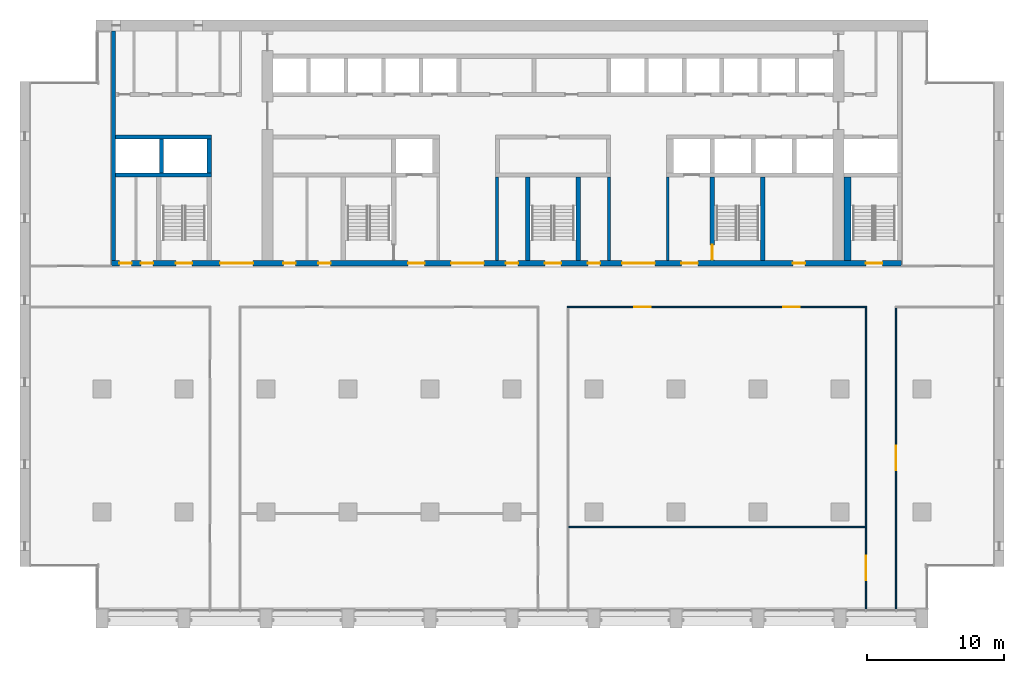
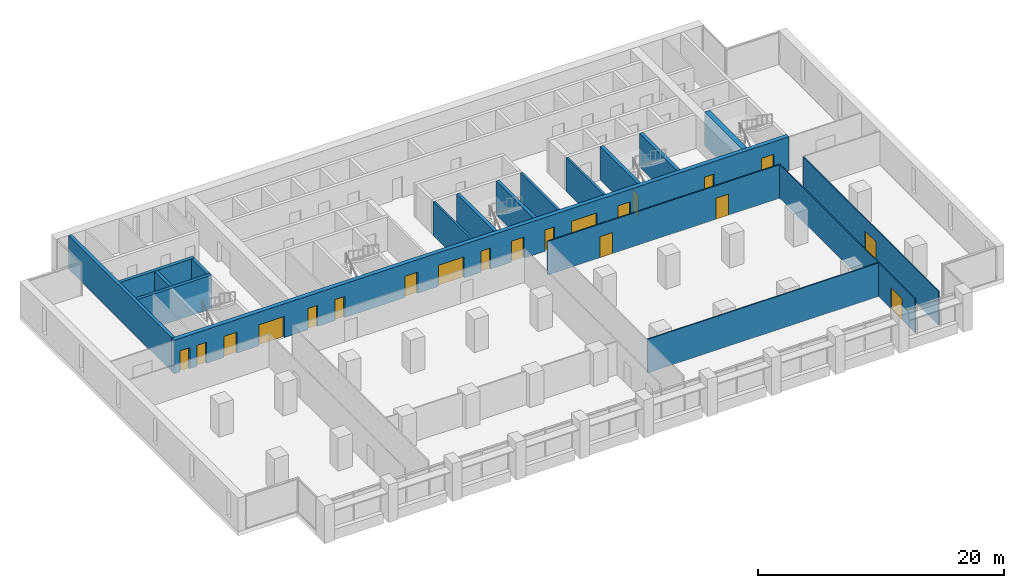
# One storey, part 9 of 15: 20 doors, 18 walls, 20 openings.
"""IFC4 building model written with IfcOpenShell, lengths in metres."""

from ifc_helpers import new_model, si_unit, direction, frame, frame_2d, origin, place, context, subcontext, project, spatial, rectangle, extrude, material, layer, layer_set, type_object, element, fill, save


model = new_model("IFC4")

# Units and contexts
model_context = context("Model", 3, precision=1e-05, world=origin(), true_north=direction((0.0, 1.0)))
body_context = subcontext(model_context, "Body", "Model", "MODEL_VIEW")
ifc_project = project(units=[si_unit("LENGTHUNIT", "METRE"), si_unit("AREAUNIT", "SQUARE_METRE"), si_unit("VOLUMEUNIT", "CUBIC_METRE"), si_unit("PLANEANGLEUNIT", "RADIAN"), si_unit("MASSUNIT", "GRAM", prefix="KILO")], contexts=[model_context])

# Site, building, storey
site_placement = place(None, origin())
site = spatial("IfcSite", under=ifc_project, at=site_placement, CompositionType="ELEMENT")
building_placement = place(site_placement, origin())
building = spatial("IfcBuilding", under=site, at=building_placement, Name="Calvaro Tower", CompositionType="ELEMENT")
storey_placement = place(building_placement, frame((0.0, 0.0, 113.75)))
storey = spatial("IfcBuildingStorey", under=building, at=storey_placement, Name="L28", CompositionType="ELEMENT", Elevation=113.75)

# Walls
ifc_material_1 = material(Name="Blockwork partition", Category="masonry")
ifc_layer_1 = layer(ifc_material_1, 0.199951171875)
ifc_layer_set_1 = layer_set([ifc_layer_1], Name="Blockwork partition")
wall_type_1 = type_object("IfcWallType", Name="Core partition 200 REI 120", PredefinedType="PARTITIONING", material=ifc_layer_set_1)
for number, where, z_axis, x_axis, name in (
    (1, (34.89990234375, 28.39990234375, 0.0), (0.0, 0.0, 1.0), (0.0, 1.0, 0.0), "Core partition"),
    (2, (43.10009765625, 28.39990234375, 0.0), (0.0, 0.0, 1.0), (0.0, 1.0, 0.0), "Core partition"),
    (3, (47.39990234375, 28.39990234375, 0.0), (0.0, 0.0, 1.0), (0.0, 1.0, 0.0), "Core partition"),
):
    element("IfcWall", number, at=place(storey_placement, frame(where, z_axis=z_axis, x_axis=x_axis)), inside=storey, type_object=wall_type_1, Name=name, PredefinedType="PARTITIONING", context=body_context, shape_type="SweptSolid", body=[
        extrude(rectangle(XDim=6.10009765625, YDim=0.199951171875, at=frame_2d((3.050048828125, 0.0))), origin(), (0.0, 0.0, 1.0), 3.35009765625),
    ])
ifc_material_2 = material(Name="Concrete C60/75", Category="concrete")
ifc_layer_2 = layer(ifc_material_2, 0.300048828125)
ifc_layer_set_2 = layer_set([ifc_layer_2], Name="Concrete C60/75")
wall_type_2 = type_object("IfcWallType", Name="Core wall C60/75 300", PredefinedType="SHEAR", material=ifc_layer_set_2)
wall_1_placement = place(storey_placement, frame((6.85009765625, 28.39990234375, 0.0), z_axis=(0.0, 0.0, 1.0), x_axis=(0.0, 1.0, 0.0)))
element("IfcWall", 4, at=wall_1_placement, inside=storey, type_object=wall_type_2, Name="Core wall, boundary", PredefinedType="SHEAR", context=body_context, shape_type="SweptSolid", body=[
    extrude(rectangle(XDim=16.800048828125, YDim=0.300048828125, at=frame_2d((8.39990234375, 0.0))), origin(), (0.0, 0.0, 1.0), 3.35009765625),
])
for number, where, z_axis, x_axis, name in (
    (5, (37.14990234375, 28.39990234375, 0.0), (0.0, 0.0, 1.0), (0.0, 1.0, 0.0), "Core wall, stair enclosure"),
    (6, (40.85009765625, 28.39990234375, 0.0), (0.0, 0.0, 1.0), (0.0, 1.0, 0.0), "Core wall, stair enclosure"),
):
    element("IfcWall", number, at=place(storey_placement, frame(where, z_axis=z_axis, x_axis=x_axis)), inside=storey, type_object=wall_type_2, Name=name, PredefinedType="SHEAR", context=body_context, shape_type="SweptSolid", body=[
        extrude(rectangle(XDim=6.10009765625, YDim=0.300048828125, at=frame_2d((3.050048828125, 0.0))), origin(), (0.0, 0.0, 1.0), 3.35009765625),
    ])

# Wall, opening, door
wall_2_placement = place(storey_placement, frame((50.64990234375, 34.5, 0.0), z_axis=(0.0, 0.0, 1.0), x_axis=(0.0, -1.0, 0.0)))
wall_2 = element("IfcWall", 7, at=wall_2_placement, inside=storey, type_object=wall_type_2, Name="Core wall, stair enclosure", PredefinedType="SHEAR", context=body_context, shape_type="SweptSolid", body=[
    extrude(rectangle(XDim=6.10009765625, YDim=0.300048828125, at=frame_2d((3.050048828125, 0.0))), origin(), (0.0, 0.0, 1.0), 3.35009765625),
])
opening_1_placement = place(wall_2_placement, frame((4.949951171875, 0.0, 0.0)))
opening_1 = element("IfcOpeningElement", 8, at=opening_1_placement, cuts=wall_2, Name="Opening FD11D", PredefinedType="OPENING", context=body_context, shape_type="SweptSolid", body=[
    extrude(rectangle(XDim=1.10009765625, YDim=2.10009765625, at=frame_2d((0.550048828125, 1.050048828125))), frame((0.0, 0.159912109375, 0.0), z_axis=(0.0, -1.0, 0.0), x_axis=(1.0, 0.0, 0.0)), (0.0, 0.0, 1.0), 0.320068359375),
])
ifc_material_3 = material(Name="Steel door set", Category="steel")
door_type_1 = type_object("IfcDoorType", Name="Fire door 1100 FD30S", OperationType="SINGLE_SWING_LEFT", PredefinedType="DOOR", material=ifc_material_3)
door_1_placement = place(opening_1_placement, origin())
door_1 = element("IfcDoor", 9, at=door_1_placement, inside=storey, type_object=door_type_1, Name="Fire door", OperationType="SINGLE_SWING_RIGHT", OverallHeight=2.10009765625, OverallWidth=1.10009765625, PredefinedType="DOOR", context=body_context, shape_type="SweptSolid", body=[
    extrude(rectangle(XDim=1.10009765625, YDim=2.10009765625, at=frame_2d((0.550048828125, 1.050048828125))), frame((0.0, 0.02490234375, 0.0), z_axis=(0.0, -1.0, 0.0), x_axis=(1.0, 0.0, 0.0)), (0.0, 0.0, 1.0), 0.050048828125),
])
fill(opening_1, door_1)

# Walls
wall_3_placement = place(storey_placement, frame((54.35009765625, 28.39990234375, 0.0), z_axis=(0.0, 0.0, 1.0), x_axis=(0.0, 1.0, 0.0)))
element("IfcWall", 10, at=wall_3_placement, inside=storey, type_object=wall_type_2, Name="Core wall, stair enclosure", PredefinedType="SHEAR", context=body_context, shape_type="SweptSolid", body=[
    extrude(rectangle(XDim=6.10009765625, YDim=0.300048828125, at=frame_2d((3.050048828125, 0.0))), origin(), (0.0, 0.0, 1.0), 3.35009765625),
])
for number, where, z_axis, x_axis, name in (
    (11, (7.0, 34.64990234375, 0.0), (0.0, 0.0, 1.0), (1.0, 0.0, 0.0), "Core wall, lift shaft"),
    (12, (7.0, 37.449951171875, 0.0), (0.0, 0.0, 1.0), (1.0, 0.0, 0.0), "Core wall, lift shaft"),
):
    element("IfcWall", number, at=place(storey_placement, frame(where, z_axis=z_axis, x_axis=x_axis)), inside=storey, type_object=wall_type_2, Name=name, PredefinedType="SHEAR", context=body_context, shape_type="SweptSolid", body=[
        extrude(rectangle(XDim=7.0, YDim=0.300048828125, at=frame_2d((3.5, 0.0))), origin(), (0.0, 0.0, 1.0), 3.35009765625),
    ])
for number, where, z_axis, x_axis, name in (
    (13, (13.85009765625, 34.800048828125, 0.0), (0.0, 0.0, 1.0), (0.0, 1.0, 0.0), "Core wall, lift shaft"),
    (14, (10.35009765625, 34.800048828125, 0.0), (0.0, 0.0, 1.0), (0.0, 1.0, 0.0), "Core wall, lift shaft"),
):
    element("IfcWall", number, at=place(storey_placement, frame(where, z_axis=z_axis, x_axis=x_axis)), inside=storey, type_object=wall_type_2, Name=name, PredefinedType="SHEAR", context=body_context, shape_type="SweptSolid", body=[
        extrude(rectangle(XDim=2.5, YDim=0.300048828125, at=frame_2d((1.25, 0.0))), origin(), (0.0, 0.0, 1.0), 3.35009765625),
    ])

# Wall, openings, doors
ifc_material_4 = material(Name="Concrete C60/75", Category="concrete")
ifc_layer_3 = layer(ifc_material_4, 0.39990234375)
ifc_layer_set_3 = layer_set([ifc_layer_3], Name="Concrete C60/75")
wall_type_3 = type_object("IfcWallType", Name="Core wall C60/75 400", PredefinedType="SHEAR", material=ifc_layer_set_3)
wall_4_placement = place(storey_placement, frame((6.699951171875, 28.199951171875, 0.0), z_axis=(0.0, 0.0, 1.0), x_axis=(1.0, 0.0, 0.0)))
wall_4 = element("IfcWall", 15, at=wall_4_placement, inside=storey, type_object=wall_type_3, Name="Core wall, front", PredefinedType="SHEAR", context=body_context, shape_type="SweptSolid", body=[
    extrude(rectangle(XDim=57.800048828125, YDim=0.39990234375, at=frame_2d((28.89990234375, 0.0))), origin(), (0.0, 0.0, 1.0), 3.35009765625),
])
opening_2_placement = place(wall_4_placement, frame((12.5625, 0.0, 0.0)))
opening_2 = element("IfcOpeningElement", 16, at=opening_2_placement, cuts=wall_4, Name="Opening RD9E", PredefinedType="OPENING", context=body_context, shape_type="SweptSolid", body=[
    extrude(rectangle(XDim=0.89990234375, YDim=2.10009765625, at=frame_2d((0.449951171875, 1.050048828125))), frame((0.0, 0.2099609375, 0.0), z_axis=(0.0, -1.0, 0.0), x_axis=(1.0, 0.0, 0.0)), (0.0, 0.0, 1.0), 0.419921875),
])
opening_3_placement = place(wall_4_placement, frame((15.137451171875, 0.0, 0.0)))
opening_3 = element("IfcOpeningElement", 17, at=opening_3_placement, cuts=wall_4, Name="Opening RD9C", PredefinedType="OPENING", context=body_context, shape_type="SweptSolid", body=[
    extrude(rectangle(XDim=0.89990234375, YDim=2.10009765625, at=frame_2d((0.449951171875, 1.050048828125))), frame((0.0, 0.2099609375, 0.0), z_axis=(0.0, -1.0, 0.0), x_axis=(1.0, 0.0, 0.0)), (0.0, 0.0, 1.0), 0.419921875),
])
opening_4_placement = place(wall_4_placement, frame((49.85009765625, 0.0, 0.0)))
opening_4 = element("IfcOpeningElement", 18, at=opening_4_placement, cuts=wall_4, Name="Opening RD9E", PredefinedType="OPENING", context=body_context, shape_type="SweptSolid", body=[
    extrude(rectangle(XDim=0.89990234375, YDim=2.10009765625, at=frame_2d((0.449951171875, 1.050048828125))), frame((0.0, 0.2099609375, 0.0), z_axis=(0.0, -1.0, 0.0), x_axis=(1.0, 0.0, 0.0)), (0.0, 0.0, 1.0), 0.419921875),
])
opening_5_placement = place(wall_4_placement, frame((0.5625, 0.0, 0.0)))
opening_5 = element("IfcOpeningElement", 19, at=opening_5_placement, cuts=wall_4, Name="Opening RD9C", PredefinedType="OPENING", context=body_context, shape_type="SweptSolid", body=[
    extrude(rectangle(XDim=0.89990234375, YDim=2.10009765625, at=frame_2d((0.449951171875, 1.050048828125))), frame((0.0, 0.2099609375, 0.0), z_axis=(0.0, -1.0, 0.0), x_axis=(1.0, 0.0, 0.0)), (0.0, 0.0, 1.0), 0.419921875),
])
opening_6_placement = place(wall_4_placement, frame((2.137451171875, 0.0, 0.0)))
opening_6 = element("IfcOpeningElement", 20, at=opening_6_placement, cuts=wall_4, Name="Opening RD9E", PredefinedType="OPENING", context=body_context, shape_type="SweptSolid", body=[
    extrude(rectangle(XDim=0.89990234375, YDim=2.10009765625, at=frame_2d((0.449951171875, 1.050048828125))), frame((0.0, 0.2099609375, 0.0), z_axis=(0.0, -1.0, 0.0), x_axis=(1.0, 0.0, 0.0)), (0.0, 0.0, 1.0), 0.419921875),
])
opening_7_placement = place(wall_4_placement, frame((4.699951171875, 0.0, 0.0)))
opening_7 = element("IfcOpeningElement", 21, at=opening_7_placement, cuts=wall_4, Name="Opening SD12D", PredefinedType="OPENING", context=body_context, shape_type="SweptSolid", body=[
    extrude(rectangle(XDim=1.199951171875, YDim=2.10009765625, at=frame_2d((0.60009765625, 1.050048828125))), frame((0.0, 0.2099609375, 0.0), z_axis=(0.0, -1.0, 0.0), x_axis=(1.0, 0.0, 0.0)), (0.0, 0.0, 1.0), 0.419921875),
])
opening_8_placement = place(wall_4_placement, frame((31.699951171875, 0.0, 0.0)))
opening_8 = element("IfcOpeningElement", 22, at=opening_8_placement, cuts=wall_4, Name="Opening SD12D", PredefinedType="OPENING", context=body_context, shape_type="SweptSolid", body=[
    extrude(rectangle(XDim=1.199951171875, YDim=2.10009765625, at=frame_2d((0.60009765625, 1.050048828125))), frame((0.0, 0.2099609375, 0.0), z_axis=(0.0, -1.0, 0.0), x_axis=(1.0, 0.0, 0.0)), (0.0, 0.0, 1.0), 0.419921875),
])
opening_9_placement = place(wall_4_placement, frame((55.199951171875, 0.0, 0.0)))
opening_9 = element("IfcOpeningElement", 23, at=opening_9_placement, cuts=wall_4, Name="Opening SD12D", PredefinedType="OPENING", context=body_context, shape_type="SweptSolid", body=[
    extrude(rectangle(XDim=1.199951171875, YDim=2.10009765625, at=frame_2d((0.60009765625, 1.050048828125))), frame((0.0, 0.2099609375, 0.0), z_axis=(0.0, -1.0, 0.0), x_axis=(1.0, 0.0, 0.0)), (0.0, 0.0, 1.0), 0.419921875),
])
opening_10_placement = place(wall_4_placement, frame((21.699951171875, 0.0, 0.0)))
opening_10 = element("IfcOpeningElement", 24, at=opening_10_placement, cuts=wall_4, Name="Opening FD12F", PredefinedType="OPENING", context=body_context, shape_type="SweptSolid", body=[
    extrude(rectangle(XDim=1.199951171875, YDim=2.10009765625, at=frame_2d((0.60009765625, 1.050048828125))), frame((0.0, 0.2099609375, 0.0), z_axis=(0.0, -1.0, 0.0), x_axis=(1.0, 0.0, 0.0)), (0.0, 0.0, 1.0), 0.419921875),
])
opening_11_placement = place(wall_4_placement, frame((41.699951171875, 0.0, 0.0)))
opening_11 = element("IfcOpeningElement", 25, at=opening_11_placement, cuts=wall_4, Name="Opening FD12F", PredefinedType="OPENING", context=body_context, shape_type="SweptSolid", body=[
    extrude(rectangle(XDim=1.199951171875, YDim=2.10009765625, at=frame_2d((0.60009765625, 1.050048828125))), frame((0.0, 0.2099609375, 0.0), z_axis=(0.0, -1.0, 0.0), x_axis=(1.0, 0.0, 0.0)), (0.0, 0.0, 1.0), 0.419921875),
])
opening_12_placement = place(wall_4_placement, frame((24.85009765625, 0.0, 0.0)))
opening_12 = element("IfcOpeningElement", 26, at=opening_12_placement, cuts=wall_4, Name="Opening DD24D", PredefinedType="OPENING", context=body_context, shape_type="SweptSolid", body=[
    extrude(rectangle(XDim=2.39990234375, YDim=2.10009765625, at=frame_2d((1.199951171875, 1.050048828125))), frame((0.0, 0.2099609375, 0.0), z_axis=(0.0, -1.0, 0.0), x_axis=(1.0, 0.0, 0.0)), (0.0, 0.0, 1.0), 0.419921875),
])
opening_13_placement = place(wall_4_placement, frame((37.35009765625, 0.0, 0.0)))
opening_13 = element("IfcOpeningElement", 27, at=opening_13_placement, cuts=wall_4, Name="Opening DD24D", PredefinedType="OPENING", context=body_context, shape_type="SweptSolid", body=[
    extrude(rectangle(XDim=2.39990234375, YDim=2.10009765625, at=frame_2d((1.199951171875, 1.050048828125))), frame((0.0, 0.2099609375, 0.0), z_axis=(0.0, -1.0, 0.0), x_axis=(1.0, 0.0, 0.0)), (0.0, 0.0, 1.0), 0.419921875),
])
opening_14_placement = place(wall_4_placement, frame((7.949951171875, 0.0, 0.0)))
opening_14 = element("IfcOpeningElement", 28, at=opening_14_placement, cuts=wall_4, Name="Opening DD24D", PredefinedType="OPENING", context=body_context, shape_type="SweptSolid", body=[
    extrude(rectangle(XDim=2.39990234375, YDim=2.10009765625, at=frame_2d((1.199951171875, 1.050048828125))), frame((0.0, 0.2099609375, 0.0), z_axis=(0.0, -1.0, 0.0), x_axis=(1.0, 0.0, 0.0)), (0.0, 0.0, 1.0), 0.419921875),
])
opening_15_placement = place(wall_4_placement, frame((28.85009765625, 0.0, 0.0)))
opening_15 = element("IfcOpeningElement", 29, at=opening_15_placement, cuts=wall_4, Name="Opening RD9E", PredefinedType="OPENING", context=body_context, shape_type="SweptSolid", body=[
    extrude(rectangle(XDim=0.89990234375, YDim=2.10009765625, at=frame_2d((0.449951171875, 1.050048828125))), frame((0.0, 0.2099609375, 0.0), z_axis=(0.0, -1.0, 0.0), x_axis=(1.0, 0.0, 0.0)), (0.0, 0.0, 1.0), 0.419921875),
])
opening_16_placement = place(wall_4_placement, frame((34.85009765625, 0.0, 0.0)))
opening_16 = element("IfcOpeningElement", 30, at=opening_16_placement, cuts=wall_4, Name="Opening RD9E", PredefinedType="OPENING", context=body_context, shape_type="SweptSolid", body=[
    extrude(rectangle(XDim=0.89990234375, YDim=2.10009765625, at=frame_2d((0.449951171875, 1.050048828125))), frame((0.0, 0.2099609375, 0.0), z_axis=(0.0, -1.0, 0.0), x_axis=(1.0, 0.0, 0.0)), (0.0, 0.0, 1.0), 0.419921875),
])
ifc_material_5 = material(Name="Steel door set", Category="steel")
door_type_2 = type_object("IfcDoorType", Name="Fire door 1200 FD60S", OperationType="SINGLE_SWING_LEFT", PredefinedType="DOOR", material=ifc_material_5)
door_2_placement = place(opening_10_placement, origin())
door_2 = element("IfcDoor", 31, at=door_2_placement, inside=storey, type_object=door_type_2, Name="Fire door", OperationType="SINGLE_SWING_LEFT", OverallHeight=2.10009765625, OverallWidth=1.199951171875, PredefinedType="DOOR", context=body_context, shape_type="SweptSolid", body=[
    extrude(rectangle(XDim=1.199951171875, YDim=2.10009765625, at=frame_2d((0.60009765625, 1.050048828125))), frame((0.0, 0.02490234375, 0.0), z_axis=(0.0, -1.0, 0.0), x_axis=(1.0, 0.0, 0.0)), (0.0, 0.0, 1.0), 0.050048828125),
])
fill(opening_10, door_2)
door_3_placement = place(opening_11_placement, origin())
door_3 = element("IfcDoor", 32, at=door_3_placement, inside=storey, type_object=door_type_2, Name="Fire door", OperationType="SINGLE_SWING_LEFT", OverallHeight=2.10009765625, OverallWidth=1.199951171875, PredefinedType="DOOR", context=body_context, shape_type="SweptSolid", body=[
    extrude(rectangle(XDim=1.199951171875, YDim=2.10009765625, at=frame_2d((0.60009765625, 1.050048828125))), frame((0.0, 0.02490234375, 0.0), z_axis=(0.0, -1.0, 0.0), x_axis=(1.0, 0.0, 0.0)), (0.0, 0.0, 1.0), 0.050048828125),
])
fill(opening_11, door_3)
ifc_material_6 = material(Name="Steel door set", Category="steel")
door_type_3 = type_object("IfcDoorType", Name="Lobby double door 2400 FD30S", OperationType="DOUBLE_DOOR_SINGLE_SWING", PredefinedType="DOOR", material=ifc_material_6)
door_4_placement = place(opening_12_placement, origin())
door_4 = element("IfcDoor", 33, at=door_4_placement, inside=storey, type_object=door_type_3, Name="Lobby double door", OperationType="DOUBLE_DOOR_SINGLE_SWING", OverallHeight=2.10009765625, OverallWidth=2.39990234375, PredefinedType="DOOR", context=body_context, shape_type="SweptSolid", body=[
    extrude(rectangle(XDim=2.39990234375, YDim=2.10009765625, at=frame_2d((1.199951171875, 1.050048828125))), frame((0.0, 0.02490234375, 0.0), z_axis=(0.0, -1.0, 0.0), x_axis=(1.0, 0.0, 0.0)), (0.0, 0.0, 1.0), 0.050048828125),
])
fill(opening_12, door_4)
door_5_placement = place(opening_13_placement, origin())
door_5 = element("IfcDoor", 34, at=door_5_placement, inside=storey, type_object=door_type_3, Name="Lobby double door", OperationType="DOUBLE_DOOR_SINGLE_SWING", OverallHeight=2.10009765625, OverallWidth=2.39990234375, PredefinedType="DOOR", context=body_context, shape_type="SweptSolid", body=[
    extrude(rectangle(XDim=2.39990234375, YDim=2.10009765625, at=frame_2d((1.199951171875, 1.050048828125))), frame((0.0, 0.02490234375, 0.0), z_axis=(0.0, -1.0, 0.0), x_axis=(1.0, 0.0, 0.0)), (0.0, 0.0, 1.0), 0.050048828125),
])
fill(opening_13, door_5)
door_6_placement = place(opening_14_placement, origin())
door_6 = element("IfcDoor", 35, at=door_6_placement, inside=storey, type_object=door_type_3, Name="Lobby double door", OperationType="DOUBLE_DOOR_SINGLE_SWING", OverallHeight=2.10009765625, OverallWidth=2.39990234375, PredefinedType="DOOR", context=body_context, shape_type="SweptSolid", body=[
    extrude(rectangle(XDim=2.39990234375, YDim=2.10009765625, at=frame_2d((1.199951171875, 1.050048828125))), frame((0.0, 0.02490234375, 0.0), z_axis=(0.0, -1.0, 0.0), x_axis=(1.0, 0.0, 0.0)), (0.0, 0.0, 1.0), 0.050048828125),
])
fill(opening_14, door_6)
ifc_material_7 = material(Name="Steel door set", Category="steel")
door_type_4 = type_object("IfcDoorType", Name="Room door 900 FD30", OperationType="SINGLE_SWING_LEFT", PredefinedType="DOOR", material=ifc_material_7)
door_7_placement = place(opening_3_placement, origin())
door_7 = element("IfcDoor", 36, at=door_7_placement, inside=storey, type_object=door_type_4, Name="Room door", OperationType="SINGLE_SWING_RIGHT", OverallHeight=2.10009765625, OverallWidth=0.89990234375, PredefinedType="DOOR", context=body_context, shape_type="SweptSolid", body=[
    extrude(rectangle(XDim=0.89990234375, YDim=2.10009765625, at=frame_2d((0.449951171875, 1.050048828125))), frame((0.0, 0.02490234375, 0.0), z_axis=(0.0, -1.0, 0.0), x_axis=(1.0, 0.0, 0.0)), (0.0, 0.0, 1.0), 0.050048828125),
])
fill(opening_3, door_7)
door_8_placement = place(opening_5_placement, origin())
door_8 = element("IfcDoor", 37, at=door_8_placement, inside=storey, type_object=door_type_4, Name="Room door", OperationType="SINGLE_SWING_LEFT", OverallHeight=2.10009765625, OverallWidth=0.89990234375, PredefinedType="DOOR", context=body_context, shape_type="SweptSolid", body=[
    extrude(rectangle(XDim=0.89990234375, YDim=2.10009765625, at=frame_2d((0.449951171875, 1.050048828125))), frame((0.0, 0.02490234375, 0.0), z_axis=(0.0, -1.0, 0.0), x_axis=(1.0, 0.0, 0.0)), (0.0, 0.0, 1.0), 0.050048828125),
])
fill(opening_5, door_8)
ifc_material_8 = material(Name="Steel door set", Category="steel")
door_type_5 = type_object("IfcDoorType", Name="Room door 900 FD60", OperationType="SINGLE_SWING_LEFT", PredefinedType="DOOR", material=ifc_material_8)
door_9_placement = place(opening_2_placement, origin())
door_9 = element("IfcDoor", 38, at=door_9_placement, inside=storey, type_object=door_type_5, Name="Room door", OperationType="SINGLE_SWING_LEFT", OverallHeight=2.10009765625, OverallWidth=0.89990234375, PredefinedType="DOOR", context=body_context, shape_type="SweptSolid", body=[
    extrude(rectangle(XDim=0.89990234375, YDim=2.10009765625, at=frame_2d((0.449951171875, 1.050048828125))), frame((0.0, 0.02490234375, 0.0), z_axis=(0.0, -1.0, 0.0), x_axis=(1.0, 0.0, 0.0)), (0.0, 0.0, 1.0), 0.050048828125),
])
fill(opening_2, door_9)
door_10_placement = place(opening_4_placement, origin())
door_10 = element("IfcDoor", 39, at=door_10_placement, inside=storey, type_object=door_type_5, Name="Room door", OperationType="SINGLE_SWING_LEFT", OverallHeight=2.10009765625, OverallWidth=0.89990234375, PredefinedType="DOOR", context=body_context, shape_type="SweptSolid", body=[
    extrude(rectangle(XDim=0.89990234375, YDim=2.10009765625, at=frame_2d((0.449951171875, 1.050048828125))), frame((0.0, 0.02490234375, 0.0), z_axis=(0.0, -1.0, 0.0), x_axis=(1.0, 0.0, 0.0)), (0.0, 0.0, 1.0), 0.050048828125),
])
fill(opening_4, door_10)
door_11_placement = place(opening_6_placement, origin())
door_11 = element("IfcDoor", 40, at=door_11_placement, inside=storey, type_object=door_type_5, Name="Room door", OperationType="SINGLE_SWING_LEFT", OverallHeight=2.10009765625, OverallWidth=0.89990234375, PredefinedType="DOOR", context=body_context, shape_type="SweptSolid", body=[
    extrude(rectangle(XDim=0.89990234375, YDim=2.10009765625, at=frame_2d((0.449951171875, 1.050048828125))), frame((0.0, 0.02490234375, 0.0), z_axis=(0.0, -1.0, 0.0), x_axis=(1.0, 0.0, 0.0)), (0.0, 0.0, 1.0), 0.050048828125),
])
fill(opening_6, door_11)
door_12_placement = place(opening_15_placement, origin())
door_12 = element("IfcDoor", 41, at=door_12_placement, inside=storey, type_object=door_type_5, Name="Room door", OperationType="SINGLE_SWING_LEFT", OverallHeight=2.10009765625, OverallWidth=0.89990234375, PredefinedType="DOOR", context=body_context, shape_type="SweptSolid", body=[
    extrude(rectangle(XDim=0.89990234375, YDim=2.10009765625, at=frame_2d((0.449951171875, 1.050048828125))), frame((0.0, 0.02490234375, 0.0), z_axis=(0.0, -1.0, 0.0), x_axis=(1.0, 0.0, 0.0)), (0.0, 0.0, 1.0), 0.050048828125),
])
fill(opening_15, door_12)
door_13_placement = place(opening_16_placement, origin())
door_13 = element("IfcDoor", 42, at=door_13_placement, inside=storey, type_object=door_type_5, Name="Room door", OperationType="SINGLE_SWING_LEFT", OverallHeight=2.10009765625, OverallWidth=0.89990234375, PredefinedType="DOOR", context=body_context, shape_type="SweptSolid", body=[
    extrude(rectangle(XDim=0.89990234375, YDim=2.10009765625, at=frame_2d((0.449951171875, 1.050048828125))), frame((0.0, 0.02490234375, 0.0), z_axis=(0.0, -1.0, 0.0), x_axis=(1.0, 0.0, 0.0)), (0.0, 0.0, 1.0), 0.050048828125),
])
fill(opening_16, door_13)
ifc_material_9 = material(Name="Steel door set", Category="steel")
door_type_6 = type_object("IfcDoorType", Name="Stair door 1200 FD30S", OperationType="SINGLE_SWING_LEFT", PredefinedType="DOOR", material=ifc_material_9)
door_14_placement = place(opening_7_placement, origin())
door_14 = element("IfcDoor", 43, at=door_14_placement, inside=storey, type_object=door_type_6, Name="Stair door", OperationType="SINGLE_SWING_LEFT", OverallHeight=2.10009765625, OverallWidth=1.199951171875, PredefinedType="DOOR", context=body_context, shape_type="SweptSolid", body=[
    extrude(rectangle(XDim=1.199951171875, YDim=2.10009765625, at=frame_2d((0.60009765625, 1.050048828125))), frame((0.0, 0.02490234375, 0.0), z_axis=(0.0, -1.0, 0.0), x_axis=(1.0, 0.0, 0.0)), (0.0, 0.0, 1.0), 0.050048828125),
])
fill(opening_7, door_14)
door_15_placement = place(opening_8_placement, origin())
door_15 = element("IfcDoor", 44, at=door_15_placement, inside=storey, type_object=door_type_6, Name="Stair door", OperationType="SINGLE_SWING_LEFT", OverallHeight=2.10009765625, OverallWidth=1.199951171875, PredefinedType="DOOR", context=body_context, shape_type="SweptSolid", body=[
    extrude(rectangle(XDim=1.199951171875, YDim=2.10009765625, at=frame_2d((0.60009765625, 1.050048828125))), frame((0.0, 0.02490234375, 0.0), z_axis=(0.0, -1.0, 0.0), x_axis=(1.0, 0.0, 0.0)), (0.0, 0.0, 1.0), 0.050048828125),
])
fill(opening_8, door_15)
door_16_placement = place(opening_9_placement, origin())
door_16 = element("IfcDoor", 45, at=door_16_placement, inside=storey, type_object=door_type_6, Name="Stair door", OperationType="SINGLE_SWING_LEFT", OverallHeight=2.10009765625, OverallWidth=1.199951171875, PredefinedType="DOOR", context=body_context, shape_type="SweptSolid", body=[
    extrude(rectangle(XDim=1.199951171875, YDim=2.10009765625, at=frame_2d((0.60009765625, 1.050048828125))), frame((0.0, 0.02490234375, 0.0), z_axis=(0.0, -1.0, 0.0), x_axis=(1.0, 0.0, 0.0)), (0.0, 0.0, 1.0), 0.050048828125),
])
fill(opening_9, door_16)

# Walls
ifc_material_10 = material(Name="Concrete C60/75", Category="concrete")
ifc_layer_4 = layer(ifc_material_10, 0.5)
ifc_layer_set_4 = layer_set([ifc_layer_4], Name="Concrete C60/75")
wall_type_4 = type_object("IfcWallType", Name="Core wall C60/75 500", PredefinedType="SHEAR", material=ifc_layer_set_4)
wall_5_placement = place(storey_placement, frame((60.550048828125, 28.39990234375, 0.0), z_axis=(0.0, 0.0, 1.0), x_axis=(0.0, 1.0, 0.0)))
element("IfcWall", 46, at=wall_5_placement, inside=storey, type_object=wall_type_4, Name="Core wall, stair enclosure", PredefinedType="SHEAR", context=body_context, shape_type="SweptSolid", body=[
    extrude(rectangle(XDim=6.10009765625, YDim=0.5, at=frame_2d((3.050048828125, 0.0))), origin(), (0.0, 0.0, 1.0), 3.35009765625),
])
ifc_material_11 = material(Name="Plasterboard on steel studs", Category="steel")
ifc_layer_5 = layer(ifc_material_11, 0.10009765625)
ifc_layer_set_5 = layer_set([ifc_layer_5], Name="Plasterboard on steel studs")
wall_type_5 = type_object("IfcWallType", Name="Partition 100", PredefinedType="PARTITIONING", material=ifc_layer_set_5)
wall_6_placement = place(storey_placement, frame((40.14990234375, 8.89990234375, 0.0), z_axis=(0.0, 0.0, 1.0), x_axis=(1.0, 0.0, 0.0)))
element("IfcWall", 47, at=wall_6_placement, inside=storey, type_object=wall_type_5, Name="Partition T18.W001", PredefinedType="PARTITIONING", context=body_context, shape_type="SweptSolid", body=[
    extrude(rectangle(XDim=21.7001953125, YDim=0.10009765625, at=frame_2d((10.85009765625, 0.0))), origin(), (0.0, 0.0, 1.0), 3.35009765625),
])

# Wall, openings, doors
wall_7_placement = place(storey_placement, frame((40.050048828125, 25.0, 0.0), z_axis=(0.0, 0.0, 1.0), x_axis=(1.0, 0.0, 0.0)))
wall_7 = element("IfcWall", 48, at=wall_7_placement, inside=storey, type_object=wall_type_5, Name="Partition T18.W009", PredefinedType="PARTITIONING", context=body_context, shape_type="SweptSolid", body=[
    extrude(rectangle(XDim=21.89990234375, YDim=0.10009765625, at=frame_2d((10.949951171875, 0.0))), origin(), (0.0, 0.0, 1.0), 3.35009765625),
])
opening_17_placement = place(wall_7_placement, frame((4.89990234375, 0.0, 0.0)))
opening_17 = element("IfcOpeningElement", 49, at=opening_17_placement, cuts=wall_7, Name="Opening T18.007", PredefinedType="OPENING", context=body_context, shape_type="SweptSolid", body=[
    extrude(rectangle(XDim=1.199951171875, YDim=2.10009765625, at=frame_2d((0.60009765625, 1.050048828125))), frame((0.0, 0.06005859375, 0.0), z_axis=(0.0, -1.0, 0.0), x_axis=(1.0, 0.0, 0.0)), (0.0, 0.0, 1.0), 0.1201171875),
])
opening_18_placement = place(wall_7_placement, frame((15.800048828125, 0.0, 0.0)))
opening_18 = element("IfcOpeningElement", 50, at=opening_18_placement, cuts=wall_7, Name="Opening T18.008", PredefinedType="OPENING", context=body_context, shape_type="SweptSolid", body=[
    extrude(rectangle(XDim=1.199951171875, YDim=2.10009765625, at=frame_2d((0.60009765625, 1.050048828125))), frame((0.0, 0.06005859375, 0.0), z_axis=(0.0, -1.0, 0.0), x_axis=(1.0, 0.0, 0.0)), (0.0, 0.0, 1.0), 0.1201171875),
])
ifc_material_12 = material(Name="Timber", Category="wood")
door_type_7 = type_object("IfcDoorType", Name="Internal single door 1200 x 2100", OperationType="SINGLE_SWING_LEFT", PredefinedType="DOOR", material=ifc_material_12)
door_17_placement = place(opening_17_placement, origin())
door_17 = element("IfcDoor", 51, at=door_17_placement, inside=storey, type_object=door_type_7, Name="Door T18.007", OperationType="SINGLE_SWING_LEFT", OverallHeight=2.10009765625, OverallWidth=1.199951171875, PredefinedType="DOOR", context=body_context, shape_type="SweptSolid", body=[
    extrude(rectangle(XDim=1.199951171875, YDim=2.10009765625, at=frame_2d((0.60009765625, 1.050048828125))), frame((0.0, 0.02490234375, 0.0), z_axis=(0.0, -1.0, 0.0), x_axis=(1.0, 0.0, 0.0)), (0.0, 0.0, 1.0), 0.050048828125),
])
fill(opening_17, door_17)
door_18_placement = place(opening_18_placement, origin())
door_18 = element("IfcDoor", 52, at=door_18_placement, inside=storey, type_object=door_type_7, Name="Door T18.008", OperationType="SINGLE_SWING_RIGHT", OverallHeight=2.10009765625, OverallWidth=1.199951171875, PredefinedType="DOOR", context=body_context, shape_type="SweptSolid", body=[
    extrude(rectangle(XDim=1.199951171875, YDim=2.10009765625, at=frame_2d((0.60009765625, 1.050048828125))), frame((0.0, 0.02490234375, 0.0), z_axis=(0.0, -1.0, 0.0), x_axis=(1.0, 0.0, 0.0)), (0.0, 0.0, 1.0), 0.050048828125),
])
fill(opening_18, door_18)

# Wall, opening, door
wall_8_placement = place(storey_placement, frame((61.89990234375, 2.89990234375, 0.0), z_axis=(0.0, 0.0, 1.0), x_axis=(0.0, 1.0, 0.0)))
wall_8 = element("IfcWall", 53, at=wall_8_placement, inside=storey, type_object=wall_type_5, Name="Partition T18.W017", PredefinedType="PARTITIONING", context=body_context, shape_type="SweptSolid", body=[
    extrude(rectangle(XDim=22.050048828125, YDim=0.10009765625, at=frame_2d((11.02490234375, 0.0))), origin(), (0.0, 0.0, 1.0), 3.35009765625),
])
opening_19_placement = place(wall_8_placement, frame((2.10009765625, 0.0, 0.0)))
opening_19 = element("IfcOpeningElement", 54, at=opening_19_placement, cuts=wall_8, Name="Opening T18.001", PredefinedType="OPENING", context=body_context, shape_type="SweptSolid", body=[
    extrude(rectangle(XDim=1.800048828125, YDim=2.10009765625, at=frame_2d((0.89990234375, 1.050048828125))), frame((0.0, 0.06005859375, 0.0), z_axis=(0.0, -1.0, 0.0), x_axis=(1.0, 0.0, 0.0)), (0.0, 0.0, 1.0), 0.1201171875),
])
ifc_material_13 = material(Name="Timber", Category="wood")
door_type_8 = type_object("IfcDoorType", Name="Internal double door 1800 x 2100", OperationType="DOUBLE_DOOR_SINGLE_SWING", PredefinedType="DOOR", material=ifc_material_13)
door_19_placement = place(opening_19_placement, origin())
door_19 = element("IfcDoor", 55, at=door_19_placement, inside=storey, type_object=door_type_8, Name="Door T18.001", OperationType="DOUBLE_DOOR_SINGLE_SWING", OverallHeight=2.10009765625, OverallWidth=1.800048828125, PredefinedType="DOOR", context=body_context, shape_type="SweptSolid", body=[
    extrude(rectangle(XDim=1.800048828125, YDim=2.10009765625, at=frame_2d((0.89990234375, 1.050048828125))), frame((0.0, 0.02490234375, 0.0), z_axis=(0.0, -1.0, 0.0), x_axis=(1.0, 0.0, 0.0)), (0.0, 0.0, 1.0), 0.050048828125),
])
fill(opening_19, door_19)

wall_9_placement = place(storey_placement, frame((64.10009765625, 2.89990234375, 0.0), z_axis=(0.0, 0.0, 1.0), x_axis=(0.0, 1.0, 0.0)))
wall_9 = element("IfcWall", 56, at=wall_9_placement, inside=storey, type_object=wall_type_5, Name="Partition T18.W018", PredefinedType="PARTITIONING", context=body_context, shape_type="SweptSolid", body=[
    extrude(rectangle(XDim=22.050048828125, YDim=0.10009765625, at=frame_2d((11.02490234375, 0.0))), origin(), (0.0, 0.0, 1.0), 3.35009765625),
])
opening_20_placement = place(wall_9_placement, frame((10.14990234375, 0.0, 0.0)))
opening_20 = element("IfcOpeningElement", 57, at=opening_20_placement, cuts=wall_9, Name="Opening T18.006", PredefinedType="OPENING", context=body_context, shape_type="SweptSolid", body=[
    extrude(rectangle(XDim=1.800048828125, YDim=2.10009765625, at=frame_2d((0.89990234375, 1.050048828125))), frame((0.0, 0.06005859375, 0.0), z_axis=(0.0, -1.0, 0.0), x_axis=(1.0, 0.0, 0.0)), (0.0, 0.0, 1.0), 0.1201171875),
])
door_20_placement = place(opening_20_placement, origin())
door_20 = element("IfcDoor", 58, at=door_20_placement, inside=storey, type_object=door_type_8, Name="Door T18.006", OperationType="DOUBLE_DOOR_SINGLE_SWING", OverallHeight=2.10009765625, OverallWidth=1.800048828125, PredefinedType="DOOR", context=body_context, shape_type="SweptSolid", body=[
    extrude(rectangle(XDim=1.800048828125, YDim=2.10009765625, at=frame_2d((0.89990234375, 1.050048828125))), frame((0.0, 0.02490234375, 0.0), z_axis=(0.0, -1.0, 0.0), x_axis=(1.0, 0.0, 0.0)), (0.0, 0.0, 1.0), 0.050048828125),
])
fill(opening_20, door_20)

save(model, "model.ifc")
